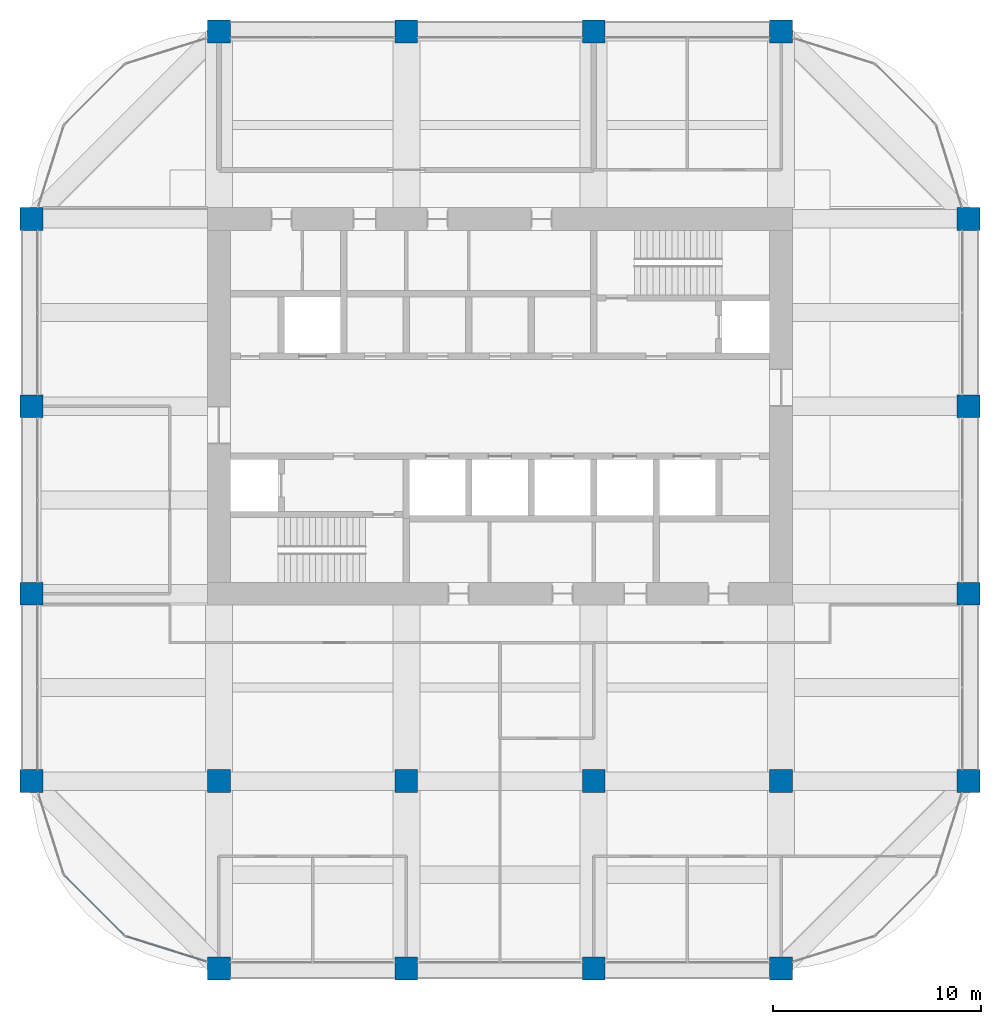
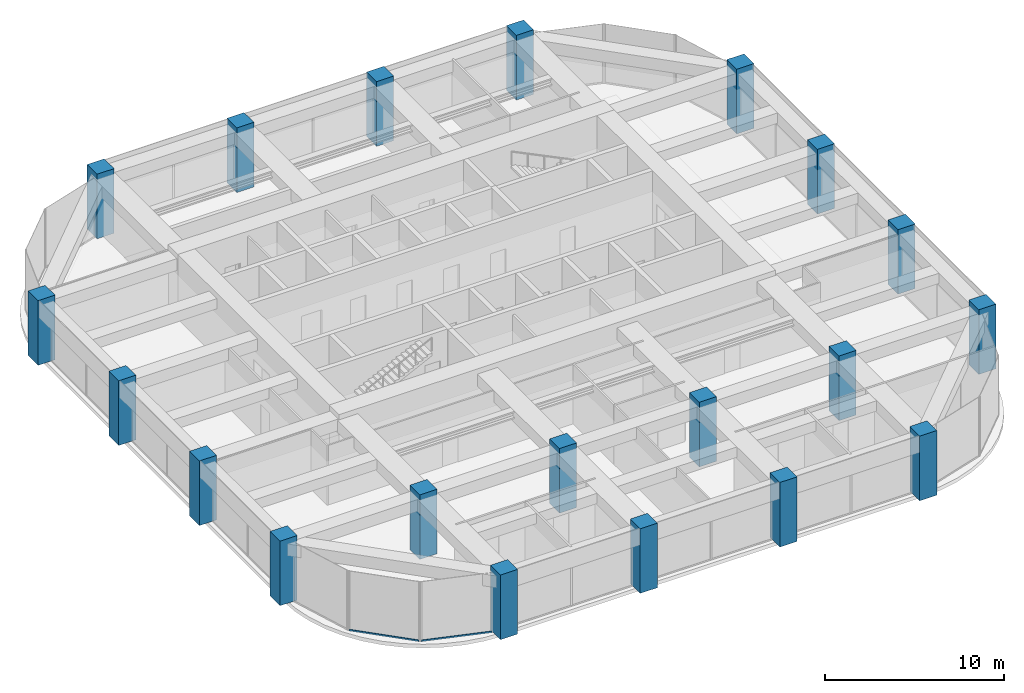
# One storey, part 1 of 44: 20 columns, 2 members, 2 elements without a shape of their own.
"""IFC4 building model written with IfcOpenShell, lengths in metres."""

from ifc_helpers import new_model, si_unit, direction, frame, origin, origin_2d, place, context, subcontext, project, spatial, rectangle, hollow_rectangle, extrude, material, material_profile, profile_set, type_object, element, aggregate, save


model = new_model("IFC4")

# Units and contexts
model_context = context("Model", 3, precision=1e-05, world=origin(), true_north=direction((0.0, 1.0)))
body_context = subcontext(model_context, "Body", "Model", "MODEL_VIEW")
ifc_project = project(units=[si_unit("LENGTHUNIT", "METRE"), si_unit("AREAUNIT", "SQUARE_METRE"), si_unit("VOLUMEUNIT", "CUBIC_METRE"), si_unit("PLANEANGLEUNIT", "RADIAN"), si_unit("MASSUNIT", "GRAM", prefix="KILO")], contexts=[model_context])

# Site, building, storey
site_placement = place(None, origin())
site = spatial("IfcSite", under=ifc_project, at=site_placement, CompositionType="ELEMENT")
building_placement = place(site_placement, origin())
building = spatial("IfcBuilding", under=site, at=building_placement, Name="Zorevar Civic Tower", CompositionType="ELEMENT")
storey_placement = place(building_placement, frame((0.0, 0.0, 307.39990234375)))
storey = spatial("IfcBuildingStorey", under=building, at=storey_placement, Name="L75", CompositionType="ELEMENT", Elevation=307.39990234375)

# Columns
ifc_material_1 = material(Name="Concrete C50/60", Category="concrete")
ifc_material_profile_1 = material_profile(ifc_material_1, rectangle(XDim=1.10009765625, YDim=1.10009765625, at=origin_2d()), Name="RC 1100x1100")
ifc_profile_set_1 = profile_set([ifc_material_profile_1], Name="Concrete C50/60")
column_type = type_object("IfcColumnType", Name="Column RC 1100x1100", PredefinedType="COLUMN", material=ifc_profile_set_1)
for number, where, z_axis, x_axis, name in (
    (1, (9.0, 9.0, 0.0), (0.0, 0.0, 1.0), (1.0, 0.0, 0.0), "Column 3B L75"),
    (2, (9.0, 18.0, 0.0), (0.0, 0.0, 1.0), (1.0, 0.0, 0.0), "Column 3C L75"),
    (3, (9.0, 27.0, 0.0), (0.0, 0.0, 1.0), (1.0, 0.0, 0.0), "Column 3D L75"),
    (4, (9.0, 36.0, 0.0), (0.0, 0.0, 1.0), (1.0, 0.0, 0.0), "Column 3E L75"),
    (5, (18.0, 0.0, 0.0), (0.0, 0.0, 1.0), (1.0, 0.0, 0.0), "Column 4A L75"),
    (6, (18.0, 9.0, 0.0), (0.0, 0.0, 1.0), (1.0, 0.0, 0.0), "Column 4B L75"),
    (7, (18.0, 45.0, 0.0), (0.0, 0.0, 1.0), (1.0, 0.0, 0.0), "Column 4F L75"),
    (8, (27.0, 0.0, 0.0), (0.0, 0.0, 1.0), (1.0, 0.0, 0.0), "Column 5A L75"),
    (9, (27.0, 9.0, 0.0), (0.0, 0.0, 1.0), (1.0, 0.0, 0.0), "Column 5B L75"),
    (10, (27.0, 45.0, 0.0), (0.0, 0.0, 1.0), (1.0, 0.0, 0.0), "Column 5F L75"),
    (11, (36.0, 0.0, 0.0), (0.0, 0.0, 1.0), (1.0, 0.0, 0.0), "Column 6A L75"),
    (12, (36.0, 9.0, 0.0), (0.0, 0.0, 1.0), (1.0, 0.0, 0.0), "Column 6B L75"),
    (13, (36.0, 45.0, 0.0), (0.0, 0.0, 1.0), (1.0, 0.0, 0.0), "Column 6F L75"),
    (14, (45.0, 0.0, 0.0), (0.0, 0.0, 1.0), (1.0, 0.0, 0.0), "Column 7A L75"),
    (15, (45.0, 9.0, 0.0), (0.0, 0.0, 1.0), (1.0, 0.0, 0.0), "Column 7B L75"),
    (16, (45.0, 45.0, 0.0), (0.0, 0.0, 1.0), (1.0, 0.0, 0.0), "Column 7F L75"),
    (17, (54.0, 9.0, 0.0), (0.0, 0.0, 1.0), (1.0, 0.0, 0.0), "Column 8B L75"),
    (18, (54.0, 18.0, 0.0), (0.0, 0.0, 1.0), (1.0, 0.0, 0.0), "Column 8C L75"),
    (19, (54.0, 27.0, 0.0), (0.0, 0.0, 1.0), (1.0, 0.0, 0.0), "Column 8D L75"),
    (20, (54.0, 36.0, 0.0), (0.0, 0.0, 1.0), (1.0, 0.0, 0.0), "Column 8E L75"),
):
    element("IfcColumn", number, at=place(storey_placement, frame(where, z_axis=z_axis, x_axis=x_axis)), inside=storey, type_object=column_type, Name=name, PredefinedType="COLUMN", context=body_context, shape_type="SweptSolid", body=[
        extrude(rectangle(XDim=1.10009765625, YDim=1.10009765625, at=origin_2d()), origin(), (0.0, 0.0, 1.0), 4.400146484375),
    ])

# Curtain wall, member
ifc_material_2 = material(Name="Dark grey solar-control glass in black aluminium frame", Category="aluminium")
curtain_wall_type = type_object("IfcCurtainWallType", Name="Curtain wall CW5 top zone", PredefinedType="NOTDEFINED", material=ifc_material_2)
curtain_wall_1_placement = place(storey_placement, origin())
curtain_wall_1 = element("IfcCurtainWall", 21, at=curtain_wall_1_placement, inside=storey, type_object=curtain_wall_type, Name="CW5 L75", PredefinedType="NOTDEFINED")
ifc_material_3 = material(Name="Aluminium, black anodised", Category="aluminium")
ifc_material_profile_2 = material_profile(ifc_material_3, hollow_rectangle(XDim=0.06005859375, YDim=0.1201171875, WallThickness=0.0029296875, at=origin_2d()), Name="AL 120x60x3")
ifc_profile_set_2 = profile_set([ifc_material_profile_2], Name="Aluminium, black anodised")
member_type = type_object("IfcMemberType", Name="CW5 transom AL 120x60x3", PredefinedType="USERDEFINED", material=ifc_profile_set_2)
member_1_placement = place(storey_placement, frame((10.6015625, 4.44970703125, 0.030029296875), z_axis=(0.707106781187, -0.707106781187, 0.0), x_axis=(0.707106781187, 0.707106781187, 0.0)))
member_1 = element("IfcMember", 22, at=member_1_placement, type_object=member_type, Name="CW5 sill transom", ObjectType="TRANSOM", PredefinedType="USERDEFINED", context=body_context, shape_type="SweptSolid", body=[
    extrude(hollow_rectangle(XDim=0.06005859375, YDim=0.1201171875, WallThickness=0.0029296875, at=origin_2d()), origin(), (0.0, 0.0, 1.0), 4.02783203125),
])
aggregate(curtain_wall_1, [member_1])

curtain_wall_2_placement = place(storey_placement, origin())
curtain_wall_2 = element("IfcCurtainWall", 23, at=curtain_wall_2_placement, inside=storey, type_object=curtain_wall_type, Name="CW5 L75", PredefinedType="NOTDEFINED")
member_2_placement = place(storey_placement, frame((13.54931640625, 1.541015625, 0.030029296875), z_axis=(0.954163457351, -0.299285978047, 0.0), x_axis=(0.299285978047, 0.954163457351, 0.0)))
member_2 = element("IfcMember", 24, at=member_2_placement, type_object=member_type, Name="CW5 sill transom", ObjectType="TRANSOM", PredefinedType="USERDEFINED", context=body_context, shape_type="SweptSolid", body=[
    extrude(hollow_rectangle(XDim=0.06005859375, YDim=0.1201171875, WallThickness=0.0029296875, at=origin_2d()), origin(), (0.0, 0.0, 1.0), 4.028076171875),
])
aggregate(curtain_wall_2, [member_2])

save(model, "model.ifc")
